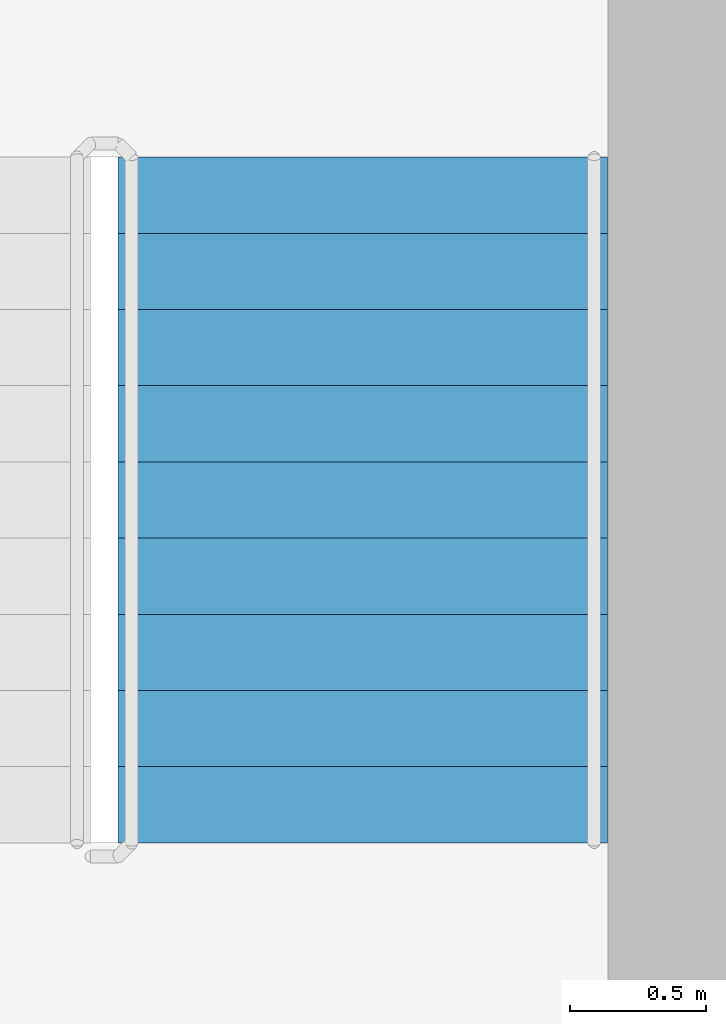
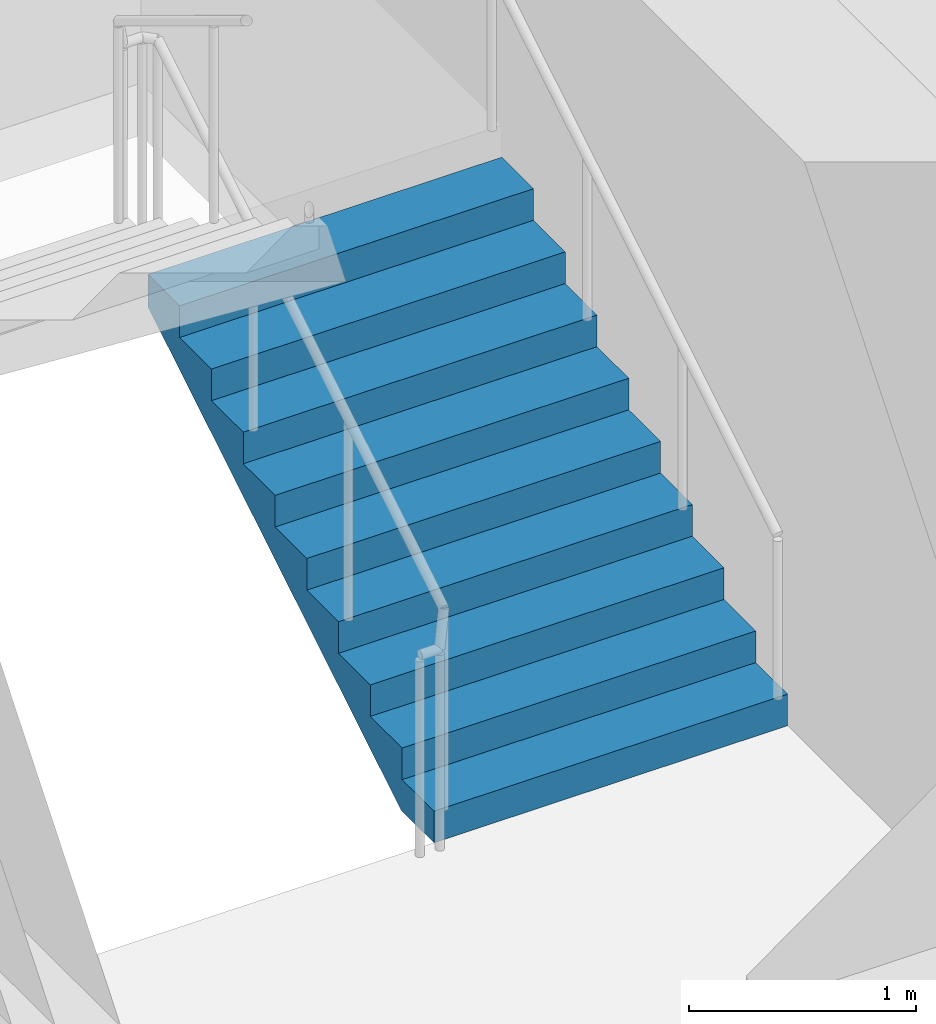
# One storey, part 11 of 18: 1 stair flight, 1 element without a shape of its own.
"""IFC4 building model written with IfcOpenShell, lengths in metres."""

from ifc_helpers import new_model, si_unit, direction, frame, origin, place, context, subcontext, project, spatial, triangles, source, transform, mapped, material, type_object, element, aggregate, save


model = new_model("IFC4")

# Units and contexts
model_context = context("Model", 3, precision=1e-05, world=origin(), true_north=direction((0.0, 1.0)))
body_context = subcontext(model_context, "Body", "Model", "MODEL_VIEW")
ifc_project = project(units=[si_unit("LENGTHUNIT", "METRE"), si_unit("AREAUNIT", "SQUARE_METRE"), si_unit("VOLUMEUNIT", "CUBIC_METRE"), si_unit("PLANEANGLEUNIT", "RADIAN"), si_unit("MASSUNIT", "GRAM", prefix="KILO")], contexts=[model_context])

# Site, building, storey
site_placement = place(None, origin())
site = spatial("IfcSite", under=ifc_project, at=site_placement, CompositionType="ELEMENT")
building_placement = place(site_placement, origin())
building = spatial("IfcBuilding", under=site, at=building_placement, Name="Kilnfold Tower and Market Hall", CompositionType="ELEMENT")
storey_placement = place(building_placement, frame((0.0, 0.0, 249.199951171875)))
storey = spatial("IfcBuildingStorey", under=building, at=storey_placement, Name="L60", CompositionType="ELEMENT", Elevation=249.199951171875)

# Stair, stair flight
ifc_material_1 = material(Name="Concrete C40/50", Category="concrete")
stair_type = type_object("IfcStairType", Name="CORE STAIR 1800", PredefinedType="HALF_TURN_STAIR", material=ifc_material_1)
stair_placement = place(storey_placement, origin())
stair = element("IfcStair", 1, at=stair_placement, inside=storey, type_object=stair_type, Name="L60 ST2", PredefinedType="HALF_TURN_STAIR")
ifc_material_2 = material(Name="Concrete C40/50", Category="concrete")
stair_flight_type = type_object("IfcStairFlightType", Name="CORE STAIR FLIGHT 1800", PredefinedType="STRAIGHT", material=ifc_material_2)
shared_shape = source(origin(), body_context, "Body", "Tessellation", [
    triangles([(0.0, 0.89990234375, 0.0), (0.0, 0.78759765625, 0.0), (0.0, 0.675048828125, 0.0), (0.0, 0.5625, 0.0), (0.0, 0.449951171875, 0.0), (0.0, 0.33740234375, 0.0), (0.0, 0.22509765625, 0.0), (0.0, 0.112548828125, 0.0), (0.0, 0.0, 0.0), (0.0, -0.112548828125, 0.0), (0.0, -0.22509765625, 0.0), (0.0, -0.33740234375, 0.0), (0.0, -0.449951171875, 0.0), (0.0, -0.5625, 0.0), (0.0, -0.675048828125, 0.0), (0.0, -0.78759765625, 0.0), (0.0, -0.89990234375, 0.0), (0.0, 0.89990234375, 0.169921875), (0.0, 0.78759765625, 0.169921875), (0.0, 0.675048828125, 0.169921875), (0.0, 0.5625, 0.169921875), (0.0, 0.449951171875, 0.169921875), (0.0, 0.33740234375, 0.169921875), (0.0, 0.22509765625, 0.169921875), (0.0, 0.112548828125, 0.169921875), (0.0, 0.0, 0.169921875), (0.0, -0.112548828125, 0.169921875), (0.0, -0.22509765625, 0.169921875), (0.0, -0.33740234375, 0.169921875), (0.0, -0.449951171875, 0.169921875), (0.0, -0.5625, 0.169921875), (0.0, -0.675048828125, 0.169921875), (0.0, -0.78759765625, 0.169921875), (0.0, -0.89990234375, 0.169921875), (0.280029296875, 0.89990234375, 0.169921875), (0.280029296875, 0.78759765625, 0.169921875), (0.280029296875, 0.675048828125, 0.169921875), (0.280029296875, 0.5625, 0.169921875), (0.280029296875, 0.449951171875, 0.169921875), (0.280029296875, 0.33740234375, 0.169921875), (0.280029296875, 0.22509765625, 0.169921875), (0.280029296875, 0.112548828125, 0.169921875), (0.280029296875, 0.0, 0.169921875), (0.280029296875, -0.112548828125, 0.169921875), (0.280029296875, -0.22509765625, 0.169921875), (0.280029296875, -0.33740234375, 0.169921875), (0.280029296875, -0.449951171875, 0.169921875), (0.280029296875, -0.5625, 0.169921875), (0.280029296875, -0.675048828125, 0.169921875), (0.280029296875, -0.78759765625, 0.169921875), (0.280029296875, -0.89990234375, 0.169921875), (0.280029296875, 0.89990234375, 0.340087890625), (0.280029296875, 0.78759765625, 0.340087890625), (0.280029296875, 0.675048828125, 0.340087890625), (0.280029296875, 0.5625, 0.340087890625), (0.280029296875, 0.449951171875, 0.340087890625), (0.280029296875, 0.33740234375, 0.340087890625), (0.280029296875, 0.22509765625, 0.340087890625), (0.280029296875, 0.112548828125, 0.340087890625), (0.280029296875, 0.0, 0.340087890625), (0.280029296875, -0.112548828125, 0.340087890625), (0.280029296875, -0.22509765625, 0.340087890625), (0.280029296875, -0.33740234375, 0.340087890625), (0.280029296875, -0.449951171875, 0.340087890625), (0.280029296875, -0.5625, 0.340087890625), (0.280029296875, -0.675048828125, 0.340087890625), (0.280029296875, -0.78759765625, 0.340087890625), (0.280029296875, -0.89990234375, 0.340087890625), (0.56005859375, 0.89990234375, 0.340087890625), (0.56005859375, 0.78759765625, 0.340087890625), (0.56005859375, 0.675048828125, 0.340087890625), (0.56005859375, 0.5625, 0.340087890625), (0.56005859375, 0.449951171875, 0.340087890625), (0.56005859375, 0.33740234375, 0.340087890625), (0.56005859375, 0.22509765625, 0.340087890625), (0.56005859375, 0.112548828125, 0.340087890625), (0.56005859375, 0.0, 0.340087890625), (0.56005859375, -0.112548828125, 0.340087890625), (0.56005859375, -0.22509765625, 0.340087890625), (0.56005859375, -0.33740234375, 0.340087890625), (0.56005859375, -0.449951171875, 0.340087890625), (0.56005859375, -0.5625, 0.340087890625), (0.56005859375, -0.675048828125, 0.340087890625), (0.56005859375, -0.78759765625, 0.340087890625), (0.56005859375, -0.89990234375, 0.340087890625), (0.56005859375, 0.89990234375, 0.510009765625), (0.56005859375, 0.78759765625, 0.510009765625), (0.56005859375, 0.675048828125, 0.510009765625), (0.56005859375, 0.5625, 0.510009765625), (0.56005859375, 0.449951171875, 0.510009765625), (0.56005859375, 0.33740234375, 0.510009765625), (0.56005859375, 0.22509765625, 0.510009765625), (0.56005859375, 0.112548828125, 0.510009765625), (0.56005859375, 0.0, 0.510009765625), (0.56005859375, -0.112548828125, 0.510009765625), (0.56005859375, -0.22509765625, 0.510009765625), (0.56005859375, -0.33740234375, 0.510009765625), (0.56005859375, -0.449951171875, 0.510009765625), (0.56005859375, -0.5625, 0.510009765625), (0.56005859375, -0.675048828125, 0.510009765625), (0.56005859375, -0.78759765625, 0.510009765625), (0.56005859375, -0.89990234375, 0.510009765625), (0.840087890625, 0.89990234375, 0.510009765625), (0.840087890625, 0.78759765625, 0.510009765625), (0.840087890625, 0.675048828125, 0.510009765625), (0.840087890625, 0.5625, 0.510009765625), (0.840087890625, 0.449951171875, 0.510009765625), (0.840087890625, 0.33740234375, 0.510009765625), (0.840087890625, 0.22509765625, 0.510009765625), (0.840087890625, 0.112548828125, 0.510009765625), (0.840087890625, 0.0, 0.510009765625), (0.840087890625, -0.112548828125, 0.510009765625), (0.840087890625, -0.22509765625, 0.510009765625), (0.840087890625, -0.33740234375, 0.510009765625), (0.840087890625, -0.449951171875, 0.510009765625), (0.840087890625, -0.5625, 0.510009765625), (0.840087890625, -0.675048828125, 0.510009765625), (0.840087890625, -0.78759765625, 0.510009765625), (0.840087890625, -0.89990234375, 0.510009765625), (0.840087890625, 0.89990234375, 0.679931640625), (0.840087890625, 0.78759765625, 0.679931640625), (0.840087890625, 0.675048828125, 0.679931640625), (0.840087890625, 0.5625, 0.679931640625), (0.840087890625, 0.449951171875, 0.679931640625), (0.840087890625, 0.33740234375, 0.679931640625), (0.840087890625, 0.22509765625, 0.679931640625), (0.840087890625, 0.112548828125, 0.679931640625), (0.840087890625, 0.0, 0.679931640625), (0.840087890625, -0.112548828125, 0.679931640625), (0.840087890625, -0.22509765625, 0.679931640625), (0.840087890625, -0.33740234375, 0.679931640625), (0.840087890625, -0.449951171875, 0.679931640625), (0.840087890625, -0.5625, 0.679931640625), (0.840087890625, -0.675048828125, 0.679931640625), (0.840087890625, -0.78759765625, 0.679931640625), (0.840087890625, -0.89990234375, 0.679931640625), (1.1201171875, 0.89990234375, 0.679931640625), (1.1201171875, 0.78759765625, 0.679931640625), (1.1201171875, 0.675048828125, 0.679931640625), (1.1201171875, 0.5625, 0.679931640625), (1.1201171875, 0.449951171875, 0.679931640625), (1.1201171875, 0.33740234375, 0.679931640625), (1.1201171875, 0.22509765625, 0.679931640625), (1.1201171875, 0.112548828125, 0.679931640625), (1.1201171875, 0.0, 0.679931640625), (1.1201171875, -0.112548828125, 0.679931640625), (1.1201171875, -0.22509765625, 0.679931640625), (1.1201171875, -0.33740234375, 0.679931640625), (1.1201171875, -0.449951171875, 0.679931640625), (1.1201171875, -0.5625, 0.679931640625), (1.1201171875, -0.675048828125, 0.679931640625), (1.1201171875, -0.78759765625, 0.679931640625), (1.1201171875, -0.89990234375, 0.679931640625), (1.1201171875, 0.89990234375, 0.85009765625), (1.1201171875, 0.78759765625, 0.85009765625), (1.1201171875, 0.675048828125, 0.85009765625), (1.1201171875, 0.5625, 0.85009765625), (1.1201171875, 0.449951171875, 0.85009765625), (1.1201171875, 0.33740234375, 0.85009765625), (1.1201171875, 0.22509765625, 0.85009765625), (1.1201171875, 0.112548828125, 0.85009765625), (1.1201171875, 0.0, 0.85009765625), (1.1201171875, -0.112548828125, 0.85009765625), (1.1201171875, -0.22509765625, 0.85009765625), (1.1201171875, -0.33740234375, 0.85009765625), (1.1201171875, -0.449951171875, 0.85009765625), (1.1201171875, -0.5625, 0.85009765625), (1.1201171875, -0.675048828125, 0.85009765625), (1.1201171875, -0.78759765625, 0.85009765625), (1.1201171875, -0.89990234375, 0.85009765625), (1.39990234375, 0.89990234375, 0.85009765625), (1.39990234375, 0.78759765625, 0.85009765625), (1.39990234375, 0.675048828125, 0.85009765625), (1.39990234375, 0.5625, 0.85009765625), (1.39990234375, 0.449951171875, 0.85009765625), (1.39990234375, 0.33740234375, 0.85009765625), (1.39990234375, 0.22509765625, 0.85009765625), (1.39990234375, 0.112548828125, 0.85009765625), (1.39990234375, 0.0, 0.85009765625), (1.39990234375, -0.112548828125, 0.85009765625), (1.39990234375, -0.22509765625, 0.85009765625), (1.39990234375, -0.33740234375, 0.85009765625), (1.39990234375, -0.449951171875, 0.85009765625), (1.39990234375, -0.5625, 0.85009765625), (1.39990234375, -0.675048828125, 0.85009765625), (1.39990234375, -0.78759765625, 0.85009765625), (1.39990234375, -0.89990234375, 0.85009765625), (1.39990234375, 0.89990234375, 1.02001953125), (1.39990234375, 0.78759765625, 1.02001953125), (1.39990234375, 0.675048828125, 1.02001953125), (1.39990234375, 0.5625, 1.02001953125), (1.39990234375, 0.449951171875, 1.02001953125), (1.39990234375, 0.33740234375, 1.02001953125), (1.39990234375, 0.22509765625, 1.02001953125), (1.39990234375, 0.112548828125, 1.02001953125), (1.39990234375, 0.0, 1.02001953125), (1.39990234375, -0.112548828125, 1.02001953125), (1.39990234375, -0.22509765625, 1.02001953125), (1.39990234375, -0.33740234375, 1.02001953125), (1.39990234375, -0.449951171875, 1.02001953125), (1.39990234375, -0.5625, 1.02001953125), (1.39990234375, -0.675048828125, 1.02001953125), (1.39990234375, -0.78759765625, 1.02001953125), (1.39990234375, -0.89990234375, 1.02001953125), (1.679931640625, 0.89990234375, 1.02001953125), (1.679931640625, 0.78759765625, 1.02001953125), (1.679931640625, 0.675048828125, 1.02001953125), (1.679931640625, 0.5625, 1.02001953125), (1.679931640625, 0.449951171875, 1.02001953125), (1.679931640625, 0.33740234375, 1.02001953125), (1.679931640625, 0.22509765625, 1.02001953125), (1.679931640625, 0.112548828125, 1.02001953125), (1.679931640625, 0.0, 1.02001953125), (1.679931640625, -0.112548828125, 1.02001953125), (1.679931640625, -0.22509765625, 1.02001953125), (1.679931640625, -0.33740234375, 1.02001953125), (1.679931640625, -0.449951171875, 1.02001953125), (1.679931640625, -0.5625, 1.02001953125), (1.679931640625, -0.675048828125, 1.02001953125), (1.679931640625, -0.78759765625, 1.02001953125), (1.679931640625, -0.89990234375, 1.02001953125), (1.679931640625, 0.89990234375, 1.18994140625), (1.679931640625, 0.78759765625, 1.18994140625), (1.679931640625, 0.675048828125, 1.18994140625), (1.679931640625, 0.5625, 1.18994140625), (1.679931640625, 0.449951171875, 1.18994140625), (1.679931640625, 0.33740234375, 1.18994140625), (1.679931640625, 0.22509765625, 1.18994140625), (1.679931640625, 0.112548828125, 1.18994140625), (1.679931640625, 0.0, 1.18994140625), (1.679931640625, -0.112548828125, 1.18994140625), (1.679931640625, -0.22509765625, 1.18994140625), (1.679931640625, -0.33740234375, 1.18994140625), (1.679931640625, -0.449951171875, 1.18994140625), (1.679931640625, -0.5625, 1.18994140625), (1.679931640625, -0.675048828125, 1.18994140625), (1.679931640625, -0.78759765625, 1.18994140625), (1.679931640625, -0.89990234375, 1.18994140625), (1.9599609375, 0.89990234375, 1.18994140625), (1.9599609375, 0.78759765625, 1.18994140625), (1.9599609375, 0.675048828125, 1.18994140625), (1.9599609375, 0.5625, 1.18994140625), (1.9599609375, 0.449951171875, 1.18994140625), (1.9599609375, 0.33740234375, 1.18994140625), (1.9599609375, 0.22509765625, 1.18994140625), (1.9599609375, 0.112548828125, 1.18994140625), (1.9599609375, 0.0, 1.18994140625), (1.9599609375, -0.112548828125, 1.18994140625), (1.9599609375, -0.22509765625, 1.18994140625), (1.9599609375, -0.33740234375, 1.18994140625), (1.9599609375, -0.449951171875, 1.18994140625), (1.9599609375, -0.5625, 1.18994140625), (1.9599609375, -0.675048828125, 1.18994140625), (1.9599609375, -0.78759765625, 1.18994140625), (1.9599609375, -0.89990234375, 1.18994140625), (1.9599609375, 0.89990234375, 1.360107421875), (1.9599609375, 0.78759765625, 1.360107421875), (1.9599609375, 0.675048828125, 1.360107421875), (1.9599609375, 0.5625, 1.360107421875), (1.9599609375, 0.449951171875, 1.360107421875), (1.9599609375, 0.33740234375, 1.360107421875), (1.9599609375, 0.22509765625, 1.360107421875), (1.9599609375, 0.112548828125, 1.360107421875), (1.9599609375, 0.0, 1.360107421875), (1.9599609375, -0.112548828125, 1.360107421875), (1.9599609375, -0.22509765625, 1.360107421875), (1.9599609375, -0.33740234375, 1.360107421875), (1.9599609375, -0.449951171875, 1.360107421875), (1.9599609375, -0.5625, 1.360107421875), (1.9599609375, -0.675048828125, 1.360107421875), (1.9599609375, -0.78759765625, 1.360107421875), (1.9599609375, -0.89990234375, 1.360107421875), (2.239990234375, 0.89990234375, 1.360107421875), (2.239990234375, 0.78759765625, 1.360107421875), (2.239990234375, 0.675048828125, 1.360107421875), (2.239990234375, 0.5625, 1.360107421875), (2.239990234375, 0.449951171875, 1.360107421875), (2.239990234375, 0.33740234375, 1.360107421875), (2.239990234375, 0.22509765625, 1.360107421875), (2.239990234375, 0.112548828125, 1.360107421875), (2.239990234375, 0.0, 1.360107421875), (2.239990234375, -0.112548828125, 1.360107421875), (2.239990234375, -0.22509765625, 1.360107421875), (2.239990234375, -0.33740234375, 1.360107421875), (2.239990234375, -0.449951171875, 1.360107421875), (2.239990234375, -0.5625, 1.360107421875), (2.239990234375, -0.675048828125, 1.360107421875), (2.239990234375, -0.78759765625, 1.360107421875), (2.239990234375, -0.89990234375, 1.360107421875), (2.239990234375, 0.89990234375, 1.530029296875), (2.239990234375, 0.78759765625, 1.530029296875), (2.239990234375, 0.675048828125, 1.530029296875), (2.239990234375, 0.5625, 1.530029296875), (2.239990234375, 0.449951171875, 1.530029296875), (2.239990234375, 0.33740234375, 1.530029296875), (2.239990234375, 0.22509765625, 1.530029296875), (2.239990234375, 0.112548828125, 1.530029296875), (2.239990234375, 0.0, 1.530029296875), (2.239990234375, -0.112548828125, 1.530029296875), (2.239990234375, -0.22509765625, 1.530029296875), (2.239990234375, -0.33740234375, 1.530029296875), (2.239990234375, -0.449951171875, 1.530029296875), (2.239990234375, -0.5625, 1.530029296875), (2.239990234375, -0.675048828125, 1.530029296875), (2.239990234375, -0.78759765625, 1.530029296875), (2.239990234375, -0.89990234375, 1.530029296875), (2.52001953125, 0.89990234375, 1.530029296875), (2.52001953125, 0.78759765625, 1.530029296875), (2.52001953125, 0.675048828125, 1.530029296875), (2.52001953125, 0.5625, 1.530029296875), (2.52001953125, 0.449951171875, 1.530029296875), (2.52001953125, 0.33740234375, 1.530029296875), (2.52001953125, 0.22509765625, 1.530029296875), (2.52001953125, 0.112548828125, 1.530029296875), (2.52001953125, 0.0, 1.530029296875), (2.52001953125, -0.112548828125, 1.530029296875), (2.52001953125, -0.22509765625, 1.530029296875), (2.52001953125, -0.33740234375, 1.530029296875), (2.52001953125, -0.449951171875, 1.530029296875), (2.52001953125, -0.5625, 1.530029296875), (2.52001953125, -0.675048828125, 1.530029296875), (2.52001953125, -0.78759765625, 1.530029296875), (2.52001953125, -0.89990234375, 1.530029296875), (2.52001953125, 0.89990234375, 1.354736328125), (2.52001953125, 0.78759765625, 1.354736328125), (2.52001953125, 0.675048828125, 1.354736328125), (2.52001953125, 0.5625, 1.354736328125), (2.52001953125, 0.449951171875, 1.354736328125), (2.52001953125, 0.33740234375, 1.354736328125), (2.52001953125, 0.22509765625, 1.354736328125), (2.52001953125, 0.112548828125, 1.354736328125), (2.52001953125, 0.0, 1.354736328125), (2.52001953125, -0.112548828125, 1.354736328125), (2.52001953125, -0.22509765625, 1.354736328125), (2.52001953125, -0.33740234375, 1.354736328125), (2.52001953125, -0.449951171875, 1.354736328125), (2.52001953125, -0.5625, 1.354736328125), (2.52001953125, -0.675048828125, 1.354736328125), (2.52001953125, -0.78759765625, 1.354736328125), (2.52001953125, -0.89990234375, 1.354736328125), (0.288818359375, 0.89990234375, 0.0), (0.288818359375, 0.78759765625, 0.0), (0.288818359375, 0.675048828125, 0.0), (0.288818359375, 0.5625, 0.0), (0.288818359375, 0.449951171875, 0.0), (0.288818359375, 0.33740234375, 0.0), (0.288818359375, 0.22509765625, 0.0), (0.288818359375, 0.112548828125, 0.0), (0.288818359375, 0.0, 0.0), (0.288818359375, -0.112548828125, 0.0), (0.288818359375, -0.22509765625, 0.0), (0.288818359375, -0.33740234375, 0.0), (0.288818359375, -0.449951171875, 0.0), (0.288818359375, -0.5625, 0.0), (0.288818359375, -0.675048828125, 0.0), (0.288818359375, -0.78759765625, 0.0), (0.288818359375, -0.89990234375, 0.0)], [[1, 324, 341], [17, 357, 340], [324, 290, 307], [340, 323, 306], [324, 273, 290], [340, 306, 289], [324, 256, 273], [340, 289, 272], [324, 239, 256], [340, 272, 255], [239, 205, 222], [255, 238, 221], [324, 205, 239], [340, 255, 221], [205, 171, 188], [221, 204, 187], [324, 171, 205], [340, 221, 187], [171, 137, 154], [187, 170, 153], [324, 137, 171], [340, 187, 153], [137, 103, 120], [153, 136, 119], [324, 103, 137], [340, 153, 119], [103, 69, 86], [119, 102, 85], [324, 69, 103], [340, 119, 85], [69, 35, 52], [85, 68, 51], [324, 35, 69], [340, 85, 51], [1, 35, 324], [17, 340, 51], [35, 1, 18], [51, 34, 17], [1, 19, 18], [1, 2, 19], [2, 20, 19], [2, 3, 20], [3, 21, 20], [3, 4, 21], [4, 22, 21], [4, 5, 22], [5, 23, 22], [5, 6, 23], [6, 24, 23], [6, 7, 24], [7, 25, 24], [7, 8, 25], [8, 26, 25], [8, 9, 26], [9, 27, 26], [9, 10, 27], [10, 28, 27], [10, 11, 28], [11, 29, 28], [11, 12, 29], [12, 30, 29], [12, 13, 30], [13, 31, 30], [13, 14, 31], [14, 32, 31], [14, 15, 32], [15, 33, 32], [15, 16, 33], [16, 34, 33], [16, 17, 34], [18, 36, 35], [18, 19, 36], [19, 37, 36], [19, 20, 37], [20, 38, 37], [20, 21, 38], [21, 39, 38], [21, 22, 39], [22, 40, 39], [22, 23, 40], [23, 41, 40], [23, 24, 41], [24, 42, 41], [24, 25, 42], [25, 43, 42], [25, 26, 43], [26, 44, 43], [26, 27, 44], [27, 45, 44], [27, 28, 45], [28, 46, 45], [28, 29, 46], [29, 47, 46], [29, 30, 47], [30, 48, 47], [30, 31, 48], [31, 49, 48], [31, 32, 49], [32, 50, 49], [32, 33, 50], [33, 51, 50], [33, 34, 51], [35, 53, 52], [35, 36, 53], [36, 54, 53], [36, 37, 54], [37, 55, 54], [37, 38, 55], [38, 56, 55], [38, 39, 56], [39, 57, 56], [39, 40, 57], [40, 58, 57], [40, 41, 58], [41, 59, 58], [41, 42, 59], [42, 60, 59], [42, 43, 60], [43, 61, 60], [43, 44, 61], [44, 62, 61], [44, 45, 62], [45, 63, 62], [45, 46, 63], [46, 64, 63], [46, 47, 64], [47, 65, 64], [47, 48, 65], [48, 66, 65], [48, 49, 66], [49, 67, 66], [49, 50, 67], [50, 68, 67], [50, 51, 68], [52, 70, 69], [52, 53, 70], [53, 71, 70], [53, 54, 71], [54, 72, 71], [54, 55, 72], [55, 73, 72], [55, 56, 73], [56, 74, 73], [56, 57, 74], [57, 75, 74], [57, 58, 75], [58, 76, 75], [58, 59, 76], [59, 77, 76], [59, 60, 77], [60, 78, 77], [60, 61, 78], [61, 79, 78], [61, 62, 79], [62, 80, 79], [62, 63, 80], [63, 81, 80], [63, 64, 81], [64, 82, 81], [64, 65, 82], [65, 83, 82], [65, 66, 83], [66, 84, 83], [66, 67, 84], [67, 85, 84], [67, 68, 85], [69, 87, 86], [69, 70, 87], [70, 88, 87], [70, 71, 88], [71, 89, 88], [71, 72, 89], [72, 90, 89], [72, 73, 90], [73, 91, 90], [73, 74, 91], [74, 92, 91], [74, 75, 92], [75, 93, 92], [75, 76, 93], [76, 94, 93], [76, 77, 94], [77, 95, 94], [77, 78, 95], [78, 96, 95], [78, 79, 96], [79, 97, 96], [79, 80, 97], [80, 98, 97], [80, 81, 98], [81, 99, 98], [81, 82, 99], [82, 100, 99], [82, 83, 100], [83, 101, 100], [83, 84, 101], [84, 102, 101], [84, 85, 102], [86, 104, 103], [86, 87, 104], [87, 105, 104], [87, 88, 105], [88, 106, 105], [88, 89, 106], [89, 107, 106], [89, 90, 107], [90, 108, 107], [90, 91, 108], [91, 109, 108], [91, 92, 109], [92, 110, 109], [92, 93, 110], [93, 111, 110], [93, 94, 111], [94, 112, 111], [94, 95, 112], [95, 113, 112], [95, 96, 113], [96, 114, 113], [96, 97, 114], [97, 115, 114], [97, 98, 115], [98, 116, 115], [98, 99, 116], [99, 117, 116], [99, 100, 117], [100, 118, 117], [100, 101, 118], [101, 119, 118], [101, 102, 119], [103, 121, 120], [103, 104, 121], [104, 122, 121], [104, 105, 122], [105, 123, 122], [105, 106, 123], [106, 124, 123], [106, 107, 124], [107, 125, 124], [107, 108, 125], [108, 126, 125], [108, 109, 126], [109, 127, 126], [109, 110, 127], [110, 128, 127], [110, 111, 128], [111, 129, 128], [111, 112, 129], [112, 130, 129], [112, 113, 130], [113, 131, 130], [113, 114, 131], [114, 132, 131], [114, 115, 132], [115, 133, 132], [115, 116, 133], [116, 134, 133], [116, 117, 134], [117, 135, 134], [117, 118, 135], [118, 136, 135], [118, 119, 136], [120, 138, 137], [120, 121, 138], [121, 139, 138], [121, 122, 139], [122, 140, 139], [122, 123, 140], [123, 141, 140], [123, 124, 141], [124, 142, 141], [124, 125, 142], [125, 143, 142], [125, 126, 143], [126, 144, 143], [126, 127, 144], [127, 145, 144], [127, 128, 145], [128, 146, 145], [128, 129, 146], [129, 147, 146], [129, 130, 147], [130, 148, 147], [130, 131, 148], [131, 149, 148], [131, 132, 149], [132, 150, 149], [132, 133, 150], [133, 151, 150], [133, 134, 151], [134, 152, 151], [134, 135, 152], [135, 153, 152], [135, 136, 153], [137, 155, 154], [137, 138, 155], [138, 156, 155], [138, 139, 156], [139, 157, 156], [139, 140, 157], [140, 158, 157], [140, 141, 158], [141, 159, 158], [141, 142, 159], [142, 160, 159], [142, 143, 160], [143, 161, 160], [143, 144, 161], [144, 162, 161], [144, 145, 162], [145, 163, 162], [145, 146, 163], [146, 164, 163], [146, 147, 164], [147, 165, 164], [147, 148, 165], [148, 166, 165], [148, 149, 166], [149, 167, 166], [149, 150, 167], [150, 168, 167], [150, 151, 168], [151, 169, 168], [151, 152, 169], [152, 170, 169], [152, 153, 170], [154, 172, 171], [154, 155, 172], [155, 173, 172], [155, 156, 173], [156, 174, 173], [156, 157, 174], [157, 175, 174], [157, 158, 175], [158, 176, 175], [158, 159, 176], [159, 177, 176], [159, 160, 177], [160, 178, 177], [160, 161, 178], [161, 179, 178], [161, 162, 179], [162, 180, 179], [162, 163, 180], [163, 181, 180], [163, 164, 181], [164, 182, 181], [164, 165, 182], [165, 183, 182], [165, 166, 183], [166, 184, 183], [166, 167, 184], [167, 185, 184], [167, 168, 185], [168, 186, 185], [168, 169, 186], [169, 187, 186], [169, 170, 187], [171, 189, 188], [171, 172, 189], [172, 190, 189], [172, 173, 190], [173, 191, 190], [173, 174, 191], [174, 192, 191], [174, 175, 192], [175, 193, 192], [175, 176, 193], [176, 194, 193], [176, 177, 194], [177, 195, 194], [177, 178, 195], [178, 196, 195], [178, 179, 196], [179, 197, 196], [179, 180, 197], [180, 198, 197], [180, 181, 198], [181, 199, 198], [181, 182, 199], [182, 200, 199], [182, 183, 200], [183, 201, 200], [183, 184, 201], [184, 202, 201], [184, 185, 202], [185, 203, 202], [185, 186, 203], [186, 204, 203], [186, 187, 204], [188, 206, 205], [188, 189, 206], [189, 207, 206], [189, 190, 207], [190, 208, 207], [190, 191, 208], [191, 209, 208], [191, 192, 209], [192, 210, 209], [192, 193, 210], [193, 211, 210], [193, 194, 211], [194, 212, 211], [194, 195, 212], [195, 213, 212], [195, 196, 213], [196, 214, 213], [196, 197, 214], [197, 215, 214], [197, 198, 215], [198, 216, 215], [198, 199, 216], [199, 217, 216], [199, 200, 217], [200, 218, 217], [200, 201, 218], [201, 219, 218], [201, 202, 219], [202, 220, 219], [202, 203, 220], [203, 221, 220], [203, 204, 221], [205, 223, 222], [205, 206, 223], [206, 224, 223], [206, 207, 224], [207, 225, 224], [207, 208, 225], [208, 226, 225], [208, 209, 226], [209, 227, 226], [209, 210, 227], [210, 228, 227], [210, 211, 228], [211, 229, 228], [211, 212, 229], [212, 230, 229], [212, 213, 230], [213, 231, 230], [213, 214, 231], [214, 232, 231], [214, 215, 232], [215, 233, 232], [215, 216, 233], [216, 234, 233], [216, 217, 234], [217, 235, 234], [217, 218, 235], [218, 236, 235], [218, 219, 236], [219, 237, 236], [219, 220, 237], [220, 238, 237], [220, 221, 238], [222, 240, 239], [222, 223, 240], [223, 241, 240], [223, 224, 241], [224, 242, 241], [224, 225, 242], [225, 243, 242], [225, 226, 243], [226, 244, 243], [226, 227, 244], [227, 245, 244], [227, 228, 245], [228, 246, 245], [228, 229, 246], [229, 247, 246], [229, 230, 247], [230, 248, 247], [230, 231, 248], [231, 249, 248], [231, 232, 249], [232, 250, 249], [232, 233, 250], [233, 251, 250], [233, 234, 251], [234, 252, 251], [234, 235, 252], [235, 253, 252], [235, 236, 253], [236, 254, 253], [236, 237, 254], [237, 255, 254], [237, 238, 255], [239, 257, 256], [239, 240, 257], [240, 258, 257], [240, 241, 258], [241, 259, 258], [241, 242, 259], [242, 260, 259], [242, 243, 260], [243, 261, 260], [243, 244, 261], [244, 262, 261], [244, 245, 262], [245, 263, 262], [245, 246, 263], [246, 264, 263], [246, 247, 264], [247, 265, 264], [247, 248, 265], [248, 266, 265], [248, 249, 266], [249, 267, 266], [249, 250, 267], [250, 268, 267], [250, 251, 268], [251, 269, 268], [251, 252, 269], [252, 270, 269], [252, 253, 270], [253, 271, 270], [253, 254, 271], [254, 272, 271], [254, 255, 272], [256, 274, 273], [256, 257, 274], [257, 275, 274], [257, 258, 275], [258, 276, 275], [258, 259, 276], [259, 277, 276], [259, 260, 277], [260, 278, 277], [260, 261, 278], [261, 279, 278], [261, 262, 279], [262, 280, 279], [262, 263, 280], [263, 281, 280], [263, 264, 281], [264, 282, 281], [264, 265, 282], [265, 283, 282], [265, 266, 283], [266, 284, 283], [266, 267, 284], [267, 285, 284], [267, 268, 285], [268, 286, 285], [268, 269, 286], [269, 287, 286], [269, 270, 287], [270, 288, 287], [270, 271, 288], [271, 289, 288], [271, 272, 289], [273, 291, 290], [273, 274, 291], [274, 292, 291], [274, 275, 292], [275, 293, 292], [275, 276, 293], [276, 294, 293], [276, 277, 294], [277, 295, 294], [277, 278, 295], [278, 296, 295], [278, 279, 296], [279, 297, 296], [279, 280, 297], [280, 298, 297], [280, 281, 298], [281, 299, 298], [281, 282, 299], [282, 300, 299], [282, 283, 300], [283, 301, 300], [283, 284, 301], [284, 302, 301], [284, 285, 302], [285, 303, 302], [285, 286, 303], [286, 304, 303], [286, 287, 304], [287, 305, 304], [287, 288, 305], [288, 306, 305], [288, 289, 306], [290, 308, 307], [290, 291, 308], [291, 309, 308], [291, 292, 309], [292, 310, 309], [292, 293, 310], [293, 311, 310], [293, 294, 311], [294, 312, 311], [294, 295, 312], [295, 313, 312], [295, 296, 313], [296, 314, 313], [296, 297, 314], [297, 315, 314], [297, 298, 315], [298, 316, 315], [298, 299, 316], [299, 317, 316], [299, 300, 317], [300, 318, 317], [300, 301, 318], [301, 319, 318], [301, 302, 319], [302, 320, 319], [302, 303, 320], [303, 321, 320], [303, 304, 321], [304, 322, 321], [304, 305, 322], [305, 323, 322], [305, 306, 323], [307, 325, 324], [307, 308, 325], [308, 326, 325], [308, 309, 326], [309, 327, 326], [309, 310, 327], [310, 328, 327], [310, 311, 328], [311, 329, 328], [311, 312, 329], [312, 330, 329], [312, 313, 330], [313, 331, 330], [313, 314, 331], [314, 332, 331], [314, 315, 332], [315, 333, 332], [315, 316, 333], [316, 334, 333], [316, 317, 334], [317, 335, 334], [317, 318, 335], [318, 336, 335], [318, 319, 336], [319, 337, 336], [319, 320, 337], [320, 338, 337], [320, 321, 338], [321, 339, 338], [321, 322, 339], [322, 340, 339], [322, 323, 340], [324, 342, 341], [324, 325, 342], [325, 343, 342], [325, 326, 343], [326, 344, 343], [326, 327, 344], [327, 345, 344], [327, 328, 345], [328, 346, 345], [328, 329, 346], [329, 347, 346], [329, 330, 347], [330, 348, 347], [330, 331, 348], [331, 349, 348], [331, 332, 349], [332, 350, 349], [332, 333, 350], [333, 351, 350], [333, 334, 351], [334, 352, 351], [334, 335, 352], [335, 353, 352], [335, 336, 353], [336, 354, 353], [336, 337, 354], [337, 355, 354], [337, 338, 355], [338, 356, 355], [338, 339, 356], [339, 357, 356], [339, 340, 357], [341, 2, 1], [341, 342, 2], [342, 3, 2], [342, 343, 3], [343, 4, 3], [343, 344, 4], [344, 5, 4], [344, 345, 5], [345, 6, 5], [345, 346, 6], [346, 7, 6], [346, 347, 7], [347, 8, 7], [347, 348, 8], [348, 9, 8], [348, 349, 9], [349, 10, 9], [349, 350, 10], [350, 11, 10], [350, 351, 11], [351, 12, 11], [351, 352, 12], [352, 13, 12], [352, 353, 13], [353, 14, 13], [353, 354, 14], [354, 15, 14], [354, 355, 15], [355, 16, 15], [355, 356, 16], [356, 17, 16], [356, 357, 17]], closed=True),
])
stair_flight_placement = place(storey_placement, frame((16.199951171875, 10.800048828125, 0.0), z_axis=(0.0, 0.0, 1.0), x_axis=(0.0, 1.0, 0.0)))
stair_flight = element("IfcStairFlight", 2, at=stair_flight_placement, type_object=stair_flight_type, Name="ST2 flight 1", NumberOfRisers=10, NumberOfTreads=9, PredefinedType="STRAIGHT", RiserHeight=0.17, TreadLength=0.28, context=body_context, shape_type="MappedRepresentation", body=[
    mapped(shared_shape, transform((0.0, 0.0, 0.0))),
])
aggregate(stair, [stair_flight])

save(model, "model.ifc")
